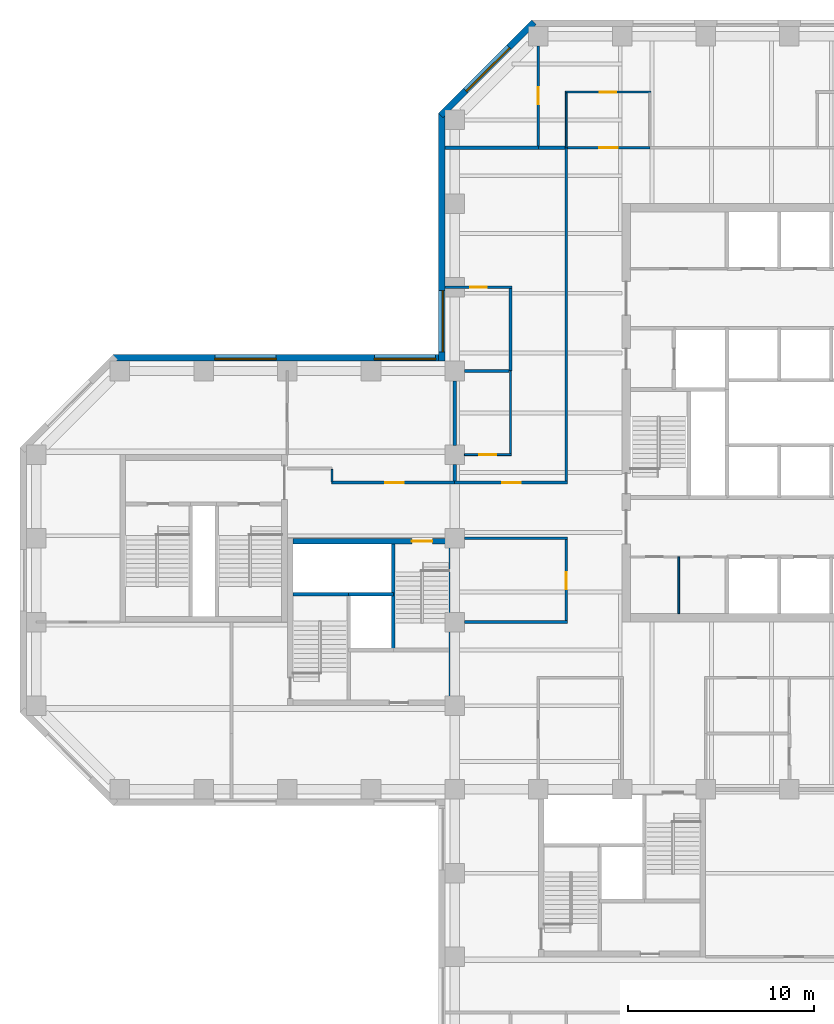
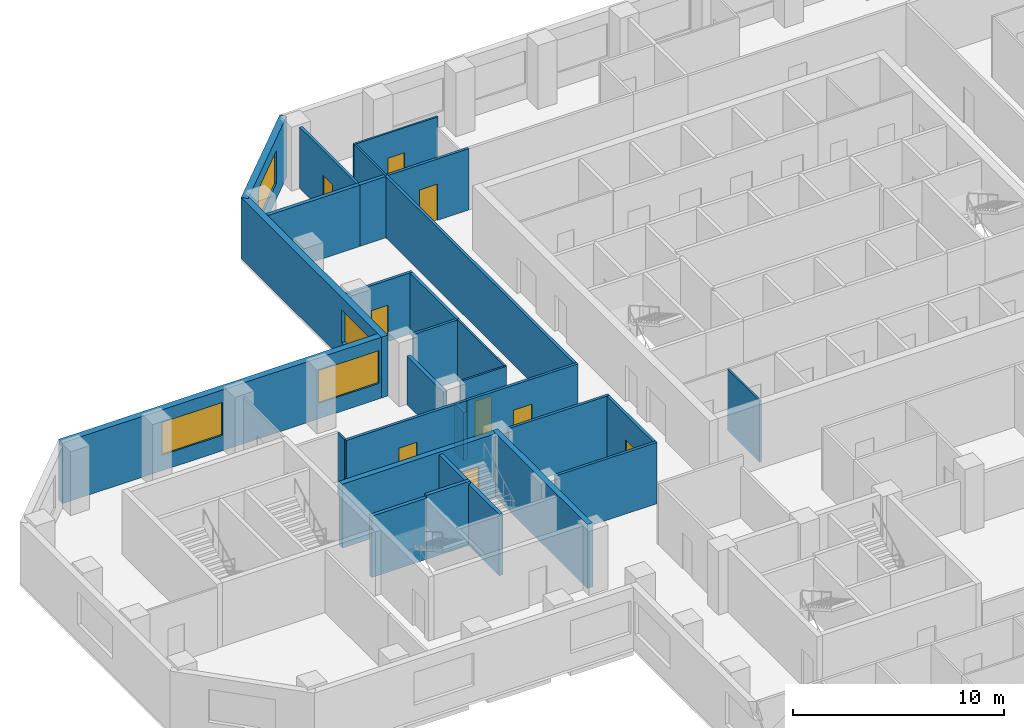
# One storey, part 6 of 11: 29 walls, 9 doors, 4 windows, 13 openings.
"""IFC4 building model written with IfcOpenShell, lengths in metres."""

from ifc_helpers import new_model, si_unit, direction, frame, frame_2d, origin, place, context, subcontext, project, spatial, rectangle, extrude, material, layer, layer_set, constituent, constituent_set, type_object, element, fill, save


model = new_model("IFC4")

# Units and contexts
model_context = context("Model", 3, precision=1e-05, world=origin(), true_north=direction((0.0, 1.0)))
body_context = subcontext(model_context, "Body", "Model", "MODEL_VIEW")
ifc_project = project(units=[si_unit("LENGTHUNIT", "METRE"), si_unit("AREAUNIT", "SQUARE_METRE"), si_unit("VOLUMEUNIT", "CUBIC_METRE"), si_unit("PLANEANGLEUNIT", "RADIAN"), si_unit("MASSUNIT", "GRAM", prefix="KILO")], contexts=[model_context])

# Site, building, storey
site_placement = place(None, origin())
site = spatial("IfcSite", under=ifc_project, at=site_placement, CompositionType="ELEMENT")
building_placement = place(site_placement, origin())
building = spatial("IfcBuilding", under=site, at=building_placement, Name="Quoin Convention Tower", CompositionType="ELEMENT")
storey_placement = place(building_placement, frame((0.0, 0.0, 134.39990234375)))
storey = spatial("IfcBuildingStorey", under=building, at=storey_placement, Name="L35", CompositionType="ELEMENT", Elevation=134.39990234375)

# Wall
ifc_material_1 = material(Name="Plasterboard")
ifc_layer_1 = layer(ifc_material_1, 0.012451171875, Name="Finish")
ifc_material_2 = material(Name="Steel stud framing", Category="steel")
ifc_layer_2 = layer(ifc_material_2, 0.125, Name="Structure")
ifc_layer_3 = layer(ifc_material_1, 0.012451171875, Name="Finish")
ifc_layer_set_1 = layer_set([ifc_layer_1, ifc_layer_2, ifc_layer_3], Name="Steel stud framing")
wall_type_1 = type_object("IfcWallType", Name="Acoustic partition 150", PredefinedType="PARTITIONING", material=ifc_layer_set_1)
wall_1_placement = place(storey_placement, frame((36.52490234375, 63.0, 0.0), z_axis=(0.0, 0.0, 1.0), x_axis=(1.0, 0.0, 0.0)))
element("IfcWall", 1, at=wall_1_placement, inside=storey, type_object=wall_type_1, Name="pw-L35-042", PredefinedType="PARTITIONING", context=body_context, shape_type="SweptSolid", body=[
    extrude(rectangle(XDim=2.400146484375, YDim=0.14990234375, at=frame_2d((1.2001953125, 0.0))), origin(), (0.0, 0.0, 1.0), 3.550048828125),
])

# Wall, opening, door
wall_2_placement = place(storey_placement, frame((35.47509765625, 67.5, 0.0), z_axis=(0.0, 0.0, 1.0), x_axis=(1.0, 0.0, 0.0)))
wall_2 = element("IfcWall", 2, at=wall_2_placement, inside=storey, type_object=wall_type_1, Name="pw-L35-045", PredefinedType="PARTITIONING", context=body_context, shape_type="SweptSolid", body=[
    extrude(rectangle(XDim=3.599853515625, YDim=0.14990234375, at=frame_2d((1.7998046875, 0.0))), origin(), (0.0, 0.0, 1.0), 3.550048828125),
])
opening_1_placement = place(wall_2_placement, frame((1.35009765625, 0.0, 0.0)))
opening_1 = element("IfcOpeningElement", 3, at=opening_1_placement, cuts=wall_2, Name="Opening DOL7-19", PredefinedType="OPENING", context=body_context, shape_type="SweptSolid", body=[
    extrude(rectangle(XDim=0.89990234375, YDim=2.10009765625, at=frame_2d((0.449951171875, 1.050048828125))), frame((0.0, 0.0849609375, 0.0), z_axis=(0.0, -1.0, 0.0), x_axis=(1.0, 0.0, 0.0)), (0.0, 0.0, 1.0), 0.169921875),
])
ifc_material_3 = material(Name="Steel door leaf", Category="steel")
door_type_1 = type_object("IfcDoorType", Name="Office door 900 x 2100", OperationType="SINGLE_SWING_RIGHT", PredefinedType="DOOR", material=ifc_material_3)
door_1_placement = place(opening_1_placement, origin())
door_1 = element("IfcDoor", 4, at=door_1_placement, inside=storey, type_object=door_type_1, Name="dr-L35-40", OperationType="SINGLE_SWING_RIGHT", OverallHeight=2.10009765625, OverallWidth=0.89990234375, PredefinedType="DOOR", context=body_context, shape_type="SweptSolid", body=[
    extrude(rectangle(XDim=0.89990234375, YDim=2.10009765625, at=frame_2d((0.449951171875, 1.050048828125))), frame((0.0, 0.02490234375, 0.0), z_axis=(0.0, -1.0, 0.0), x_axis=(1.0, 0.0, 0.0)), (0.0, 0.0, 1.0), 0.050048828125),
])
fill(opening_1, door_1)

# Wall
wall_3_placement = place(storey_placement, frame((39.0, 63.0, 0.0), z_axis=(0.0, 0.0, 1.0), x_axis=(0.0, 1.0, 0.0)))
element("IfcWall", 5, at=wall_3_placement, inside=storey, type_object=wall_type_1, Name="pw-L35-098", PredefinedType="PARTITIONING", context=body_context, shape_type="SweptSolid", body=[
    extrude(rectangle(XDim=4.425048828125, YDim=0.14990234375, at=frame_2d((2.21240234375, 0.0))), origin(), (0.0, 0.0, 1.0), 3.550048828125),
])

# Wall, opening, door
wall_4_placement = place(storey_placement, frame((40.5, 75.10009765625, 0.0), z_axis=(0.0, 0.0, 1.0), x_axis=(0.0, 1.0, 0.0)))
wall_4 = element("IfcWall", 6, at=wall_4_placement, inside=storey, type_object=wall_type_1, Name="pw-L35-106", PredefinedType="PARTITIONING", context=body_context, shape_type="SweptSolid", body=[
    extrude(rectangle(XDim=5.375, YDim=0.14990234375, at=frame_2d((2.6875, 0.0))), origin(), (0.0, 0.0, 1.0), 3.550048828125),
])
opening_2_placement = place(wall_4_placement, frame((2.25, 0.0, 0.0)))
opening_2 = element("IfcOpeningElement", 7, at=opening_2_placement, cuts=wall_4, Name="Opening DOL7-35", PredefinedType="OPENING", context=body_context, shape_type="SweptSolid", body=[
    extrude(rectangle(XDim=0.89990234375, YDim=2.10009765625, at=frame_2d((0.449951171875, 1.050048828125))), frame((0.0, 0.0849609375, 0.0), z_axis=(0.0, -1.0, 0.0), x_axis=(1.0, 0.0, 0.0)), (0.0, 0.0, 1.0), 0.169921875),
])
door_2_placement = place(opening_2_placement, frame((0.89990234375, 0.0, 0.0), z_axis=(0.0, 0.0, 1.0), x_axis=(-1.0, 0.0, 0.0)))
door_2 = element("IfcDoor", 8, at=door_2_placement, inside=storey, type_object=door_type_1, Name="dr-L35-35", OperationType="SINGLE_SWING_LEFT", OverallHeight=2.10009765625, OverallWidth=0.89990234375, PredefinedType="DOOR", context=body_context, shape_type="SweptSolid", body=[
    extrude(rectangle(XDim=0.89990234375, YDim=2.10009765625, at=frame_2d((0.449951171875, 1.050048828125))), frame((0.0, 0.02490234375, 0.0), z_axis=(0.0, -1.0, 0.0), x_axis=(1.0, 0.0, 0.0)), (0.0, 0.0, 1.0), 0.050048828125),
])
fill(opening_2, door_2)

# Wall, opening, window
ifc_material_4 = material(Name="Brick masonry", Category="masonry")
ifc_layer_4 = layer(ifc_material_4, 0.35009765625)
ifc_layer_set_2 = layer_set([ifc_layer_4], Name="Brick masonry")
wall_type_2 = type_object("IfcWallType", Name="Brick facade wall", PredefinedType="STANDARD", material=ifc_layer_set_2)
wall_5_placement = place(storey_placement, frame((40.26123046875, 81.751220703125, 0.0), z_axis=(0.0, 0.0, 1.0), x_axis=(-0.707106781187, -0.707106781187, 0.0)))
wall_5 = element("IfcWall", 9, at=wall_5_placement, inside=storey, type_object=wall_type_2, Name="fw-L35-40500_81000", PredefinedType="STANDARD", context=body_context, shape_type="SweptSolid", body=[
    extrude(rectangle(XDim=7.088623046875, YDim=0.35009765625, at=frame_2d((3.54443359375, 0.0))), origin(), (0.0, 0.0, 1.0), 3.525146484375),
])
opening_3_placement = place(wall_5_placement, frame((1.894287109375, 0.0, 0.89990234375)))
opening_3 = element("IfcOpeningElement", 10, at=opening_3_placement, cuts=wall_5, Name="Opening W-02", PredefinedType="OPENING", context=body_context, shape_type="SweptSolid", body=[
    extrude(rectangle(XDim=3.300048828125, YDim=1.89990234375, at=frame_2d((1.64990234375, 0.949951171875))), frame((0.0, 0.18505859375, 0.0), z_axis=(0.0, -1.0, 0.0), x_axis=(1.0, 0.0, 0.0)), (0.0, 0.0, 1.0), 0.3701171875),
])
ifc_material_5 = material(Name="Aluminium", Category="aluminium")
ifc_constituent_1 = constituent(ifc_material_5, Name="Frame")
ifc_material_6 = material(Name="Insulated glass", Category="glass")
ifc_constituent_2 = constituent(ifc_material_6, Name="Glazing")
ifc_constituent_set = constituent_set(constituents=[ifc_constituent_1, ifc_constituent_2], Name="Aluminium")
window_type = type_object("IfcWindowType", Name="Office window", PartitioningType="DOUBLE_PANEL_VERTICAL", PredefinedType="WINDOW", material=ifc_constituent_set)
window_1_placement = place(opening_3_placement, origin())
window_1 = element("IfcWindow", 11, at=window_1_placement, inside=storey, type_object=window_type, Name="win-L35-37755_79245", OverallHeight=1.89990234375, OverallWidth=3.300048828125, PartitioningType="SINGLE_PANEL", PredefinedType="WINDOW", context=body_context, shape_type="SweptSolid", body=[
    extrude(rectangle(XDim=3.300048828125, YDim=1.89990234375, at=frame_2d((1.64990234375, 0.949951171875))), frame((0.0, 0.0849609375, 0.0), z_axis=(0.0, -1.0, 0.0), x_axis=(1.0, 0.0, 0.0)), (0.0, 0.0, 1.0), 0.06005859375),
])
fill(opening_3, window_1)

wall_6_placement = place(storey_placement, frame((35.300048828125, 76.8623046875, 0.0), z_axis=(0.0, 0.0, 1.0), x_axis=(0.0, -1.0, 0.0)))
wall_6 = element("IfcWall", 12, at=wall_6_placement, inside=storey, type_object=wall_type_2, Name="fw-L35-36000_76500", PredefinedType="STANDARD", context=body_context, shape_type="SweptSolid", body=[
    extrude(rectangle(XDim=13.33740234375, YDim=0.35009765625, at=frame_2d((6.668701171875, 0.0))), origin(), (0.0, 0.0, 1.0), 3.525146484375),
])
opening_4_placement = place(wall_6_placement, frame((9.537353515625, 0.0, 0.89990234375)))
opening_4 = element("IfcOpeningElement", 13, at=opening_4_placement, cuts=wall_6, Name="Opening W-02", PredefinedType="OPENING", context=body_context, shape_type="SweptSolid", body=[
    extrude(rectangle(XDim=3.300048828125, YDim=1.89990234375, at=frame_2d((1.64990234375, 0.949951171875))), frame((0.0, 0.18505859375, 0.0), z_axis=(0.0, -1.0, 0.0), x_axis=(1.0, 0.0, 0.0)), (0.0, 0.0, 1.0), 0.3701171875),
])
window_2_placement = place(opening_4_placement, origin())
window_2 = element("IfcWindow", 14, at=window_2_placement, inside=storey, type_object=window_type, Name="win-L35-35300_65250", OverallHeight=1.89990234375, OverallWidth=3.300048828125, PartitioningType="SINGLE_PANEL", PredefinedType="WINDOW", context=body_context, shape_type="SweptSolid", body=[
    extrude(rectangle(XDim=3.300048828125, YDim=1.89990234375, at=frame_2d((1.64990234375, 0.949951171875))), frame((0.0, 0.0849609375, 0.0), z_axis=(0.0, -1.0, 0.0), x_axis=(1.0, 0.0, 0.0)), (0.0, 0.0, 1.0), 0.06005859375),
])
fill(opening_4, window_2)

# Wall, openings, windows
wall_7_placement = place(storey_placement, frame((35.47509765625, 63.699951171875, 0.0), z_axis=(0.0, 0.0, 1.0), x_axis=(-1.0, 0.0, 0.0)))
wall_7 = element("IfcWall", 15, at=wall_7_placement, inside=storey, type_object=wall_type_2, Name="fw-L35-36000_63000", PredefinedType="STANDARD", context=body_context, shape_type="SweptSolid", body=[
    extrude(rectangle(XDim=17.83740234375, YDim=0.35009765625, at=frame_2d((8.918701171875, 0.0))), origin(), (0.0, 0.0, 1.0), 3.525146484375),
])
opening_5_placement = place(wall_7_placement, frame((0.5, 0.0, 0.89990234375)))
opening_5 = element("IfcOpeningElement", 16, at=opening_5_placement, cuts=wall_7, Name="Opening W-02", PredefinedType="OPENING", context=body_context, shape_type="SweptSolid", body=[
    extrude(rectangle(XDim=3.300048828125, YDim=1.89990234375, at=frame_2d((1.64990234375, 0.949951171875))), frame((0.0, 0.18505859375, 0.0), z_axis=(0.0, -1.0, 0.0), x_axis=(1.0, 0.0, 0.0)), (0.0, 0.0, 1.0), 0.3701171875),
])
opening_6_placement = place(wall_7_placement, frame((9.074951171875, 0.0, 0.89990234375)))
opening_6 = element("IfcOpeningElement", 17, at=opening_6_placement, cuts=wall_7, Name="Opening W-02", PredefinedType="OPENING", context=body_context, shape_type="SweptSolid", body=[
    extrude(rectangle(XDim=3.300048828125, YDim=1.89990234375, at=frame_2d((1.64990234375, 0.949951171875))), frame((0.0, 0.18505859375, 0.0), z_axis=(0.0, -1.0, 0.0), x_axis=(1.0, 0.0, 0.0)), (0.0, 0.0, 1.0), 0.3701171875),
])
window_3_placement = place(opening_5_placement, origin())
window_3 = element("IfcWindow", 18, at=window_3_placement, inside=storey, type_object=window_type, Name="win-L35-33750_63700", OverallHeight=1.89990234375, OverallWidth=3.300048828125, PartitioningType="SINGLE_PANEL", PredefinedType="WINDOW", context=body_context, shape_type="SweptSolid", body=[
    extrude(rectangle(XDim=3.300048828125, YDim=1.89990234375, at=frame_2d((1.64990234375, 0.949951171875))), frame((0.0, 0.0849609375, 0.0), z_axis=(0.0, -1.0, 0.0), x_axis=(1.0, 0.0, 0.0)), (0.0, 0.0, 1.0), 0.06005859375),
])
fill(opening_5, window_3)
window_4_placement = place(opening_6_placement, origin())
window_4 = element("IfcWindow", 19, at=window_4_placement, inside=storey, type_object=window_type, Name="win-L35-24750_63700", OverallHeight=1.89990234375, OverallWidth=3.300048828125, PartitioningType="SINGLE_PANEL", PredefinedType="WINDOW", context=body_context, shape_type="SweptSolid", body=[
    extrude(rectangle(XDim=3.300048828125, YDim=1.89990234375, at=frame_2d((1.64990234375, 0.949951171875))), frame((0.0, 0.0849609375, 0.0), z_axis=(0.0, -1.0, 0.0), x_axis=(1.0, 0.0, 0.0)), (0.0, 0.0, 1.0), 0.06005859375),
])
fill(opening_6, window_4)

# Walls
ifc_layer_5 = layer(ifc_material_1, 0.012451171875, Name="Finish")
ifc_layer_6 = layer(ifc_material_2, 0.074951171875, Name="Structure")
ifc_layer_7 = layer(ifc_material_1, 0.012451171875, Name="Finish")
ifc_layer_set_3 = layer_set([ifc_layer_5, ifc_layer_6, ifc_layer_7], Name="Steel stud framing")
wall_type_3 = type_object("IfcWallType", Name="Core partition wall", PredefinedType="PARTITIONING", material=ifc_layer_set_3)
wall_8_placement = place(storey_placement, frame((48.050048828125, 49.949951171875, 0.0), z_axis=(0.0, 0.0, 1.0), x_axis=(0.0, 1.0, 0.0)))
element("IfcWall", 20, at=wall_8_placement, inside=storey, type_object=wall_type_3, Name="cr-C1-L35-v3050_450", PredefinedType="PARTITIONING", context=body_context, shape_type="SweptSolid", body=[
    extrude(rectangle(XDim=3.050048828125, YDim=0.10009765625, at=frame_2d((1.52490234375, 0.0))), origin(), (0.0, 0.0, 1.0), 3.550048828125),
])
ifc_material_7 = material(Name="Concrete C50", Category="concrete")
ifc_layer_8 = layer(ifc_material_7, 0.199951171875)
ifc_layer_set_4 = layer_set([ifc_layer_8], Name="Concrete C50")
wall_type_4 = type_object("IfcWallType", Name="Core shaft wall", PredefinedType="SOLIDWALL", material=ifc_layer_set_4)
wall_9_placement = place(storey_placement, frame((27.300048828125, 51.0, 0.0), z_axis=(0.0, 0.0, 1.0), x_axis=(1.0, 0.0, 0.0)))
element("IfcWall", 21, at=wall_9_placement, inside=storey, type_object=wall_type_4, Name="cr-P2-L35-h6000_300", PredefinedType="SOLIDWALL", context=body_context, shape_type="SweptSolid", body=[
    extrude(rectangle(XDim=3.0, YDim=0.199951171875, at=frame_2d((1.5, 0.0))), origin(), (0.0, 0.0, 1.0), 3.550048828125),
])
wall_10_placement = place(storey_placement, frame((32.699951171875, 48.0, 0.0), z_axis=(0.0, 0.0, 1.0), x_axis=(0.0, 1.0, 0.0)))
element("IfcWall", 22, at=wall_10_placement, inside=storey, type_object=wall_type_4, Name="cr-P2-L35-v5700_3000", PredefinedType="SOLIDWALL", context=body_context, shape_type="SweptSolid", body=[
    extrude(rectangle(XDim=5.699951171875, YDim=0.199951171875, at=frame_2d((2.85009765625, 0.0))), origin(), (0.0, 0.0, 1.0), 3.550048828125),
])
ifc_layer_9 = layer(ifc_material_7, 0.199951171875)
ifc_layer_set_5 = layer_set([ifc_layer_9], Name="Concrete C50")
wall_type_5 = type_object("IfcWallType", Name="Core shaft wall to the floor level over", PredefinedType="SOLIDWALL", material=ifc_layer_set_5)
wall_11_placement = place(storey_placement, frame((30.300048828125, 51.0, 0.0), z_axis=(0.0, 0.0, 1.0), x_axis=(1.0, 0.0, 0.0)))
element("IfcWall", 23, at=wall_11_placement, inside=storey, type_object=wall_type_5, Name="cr-P2-L35-h6000_3300", PredefinedType="SOLIDWALL", context=body_context, shape_type="SweptSolid", body=[
    extrude(rectangle(XDim=2.39990234375, YDim=0.199951171875, at=frame_2d((1.199951171875, 0.0))), origin(), (0.0, 0.0, 1.0), 3.7001953125),
])
ifc_layer_10 = layer(ifc_material_1, 0.012451171875, Name="Finish")
ifc_layer_11 = layer(ifc_material_2, 0.125, Name="Structure")
ifc_layer_12 = layer(ifc_material_1, 0.012451171875, Name="Finish")
ifc_layer_set_6 = layer_set([ifc_layer_10, ifc_layer_11, ifc_layer_12], Name="Steel stud framing")
wall_type_6 = type_object("IfcWallType", Name="Corridor wall 150", PredefinedType="PARTITIONING", material=ifc_layer_set_6)
for number, where, z_axis, x_axis, name in (
    (24, (36.52490234375, 49.5, 0.0), (0.0, 0.0, 1.0), (1.0, 0.0, 0.0), "pw-L35-031"),
    (25, (36.52490234375, 54.0, 0.0), (0.0, 0.0, 1.0), (1.0, 0.0, 0.0), "pw-L35-034"),
):
    element("IfcWall", number, at=place(storey_placement, frame(where, z_axis=z_axis, x_axis=x_axis)), inside=storey, type_object=wall_type_6, Name=name, PredefinedType="PARTITIONING", context=body_context, shape_type="SweptSolid", body=[
        extrude(rectangle(XDim=5.550048828125, YDim=0.14990234375, at=frame_2d((2.77490234375, 0.0))), origin(), (0.0, 0.0, 1.0), 3.550048828125),
    ])

# Wall, opening, door
wall_12_placement = place(storey_placement, frame((29.3798828125, 57.0, 0.0), z_axis=(0.0, 0.0, 1.0), x_axis=(1.0, 0.0, 0.0)))
wall_12 = element("IfcWall", 26, at=wall_12_placement, inside=storey, type_object=wall_type_6, Name="pw-L35-036", PredefinedType="PARTITIONING", context=body_context, shape_type="SweptSolid", body=[
    extrude(rectangle(XDim=6.6201171875, YDim=0.14990234375, at=frame_2d((3.31005859375, 0.0))), origin(), (0.0, 0.0, 1.0), 3.550048828125),
])
opening_7_placement = place(wall_12_placement, frame((2.8798828125, 0.0, 0.0)))
opening_7 = element("IfcOpeningElement", 27, at=opening_7_placement, cuts=wall_12, Name="Opening DOL7-14", PredefinedType="OPENING", context=body_context, shape_type="SweptSolid", body=[
    extrude(rectangle(XDim=1.0, YDim=2.10009765625, at=frame_2d((0.5, 1.050048828125))), frame((0.0, 0.0849609375, 0.0), z_axis=(0.0, -1.0, 0.0), x_axis=(1.0, 0.0, 0.0)), (0.0, 0.0, 1.0), 0.169921875),
])
door_type_2 = type_object("IfcDoorType", Name="Tenancy entrance door 1000 x 2100", OperationType="DOUBLE_DOOR_SINGLE_SWING", PredefinedType="DOOR", material=ifc_material_3)
door_3_placement = place(opening_7_placement, origin())
door_3 = element("IfcDoor", 28, at=door_3_placement, inside=storey, type_object=door_type_2, Name="dr-L35-w01", OperationType="DOUBLE_DOOR_SINGLE_SWING", OverallHeight=2.10009765625, OverallWidth=1.0, PredefinedType="DOOR", context=body_context, shape_type="SweptSolid", body=[
    extrude(rectangle(XDim=1.0, YDim=2.10009765625, at=frame_2d((0.5, 1.050048828125))), frame((0.0, 0.02490234375, 0.0), z_axis=(0.0, -1.0, 0.0), x_axis=(1.0, 0.0, 0.0)), (0.0, 0.0, 1.0), 0.050048828125),
])
fill(opening_7, door_3)

wall_13_placement = place(storey_placement, frame((36.0, 57.0, 0.0), z_axis=(0.0, 0.0, 1.0), x_axis=(1.0, 0.0, 0.0)))
wall_13 = element("IfcWall", 29, at=wall_13_placement, inside=storey, type_object=wall_type_6, Name="pw-L35-037", PredefinedType="PARTITIONING", context=body_context, shape_type="SweptSolid", body=[
    extrude(rectangle(XDim=6.074951171875, YDim=0.14990234375, at=frame_2d((3.03759765625, 0.0))), origin(), (0.0, 0.0, 1.0), 3.550048828125),
])
opening_8_placement = place(wall_13_placement, frame((2.550048828125, 0.0, 0.0)))
opening_8 = element("IfcOpeningElement", 30, at=opening_8_placement, cuts=wall_13, Name="Opening DOL7-15", PredefinedType="OPENING", context=body_context, shape_type="SweptSolid", body=[
    extrude(rectangle(XDim=1.0, YDim=2.10009765625, at=frame_2d((0.5, 1.050048828125))), frame((0.0, 0.0849609375, 0.0), z_axis=(0.0, -1.0, 0.0), x_axis=(1.0, 0.0, 0.0)), (0.0, 0.0, 1.0), 0.169921875),
])
door_4_placement = place(opening_8_placement, origin())
door_4 = element("IfcDoor", 31, at=door_4_placement, inside=storey, type_object=door_type_2, Name="dr-L35-38", OperationType="DOUBLE_DOOR_SINGLE_SWING", OverallHeight=2.10009765625, OverallWidth=1.0, PredefinedType="DOOR", context=body_context, shape_type="SweptSolid", body=[
    extrude(rectangle(XDim=1.0, YDim=2.10009765625, at=frame_2d((0.5, 1.050048828125))), frame((0.0, 0.02490234375, 0.0), z_axis=(0.0, -1.0, 0.0), x_axis=(1.0, 0.0, 0.0)), (0.0, 0.0, 1.0), 0.050048828125),
])
fill(opening_8, door_4)

wall_14_placement = place(storey_placement, frame((42.074951171875, 75.0, 0.0), z_axis=(0.0, 0.0, 1.0), x_axis=(1.0, 0.0, 0.0)))
wall_14 = element("IfcWall", 32, at=wall_14_placement, inside=storey, type_object=wall_type_6, Name="pw-L35-050", PredefinedType="PARTITIONING", context=body_context, shape_type="SweptSolid", body=[
    extrude(rectangle(XDim=4.425048828125, YDim=0.14990234375, at=frame_2d((2.21240234375, 0.0))), origin(), (0.0, 0.0, 1.0), 3.550048828125),
])
opening_9_placement = place(wall_14_placement, frame((1.699951171875, 0.0, 0.0)))
opening_9 = element("IfcOpeningElement", 33, at=opening_9_placement, cuts=wall_14, Name="Opening DOL7-21", PredefinedType="OPENING", context=body_context, shape_type="SweptSolid", body=[
    extrude(rectangle(XDim=1.0, YDim=2.10009765625, at=frame_2d((0.5, 1.050048828125))), frame((0.0, 0.0849609375, 0.0), z_axis=(0.0, -1.0, 0.0), x_axis=(1.0, 0.0, 0.0)), (0.0, 0.0, 1.0), 0.169921875),
])
door_5_placement = place(opening_9_placement, frame((1.0, 0.0, 0.0), z_axis=(0.0, 0.0, 1.0), x_axis=(-1.0, 0.0, 0.0)))
door_5 = element("IfcDoor", 34, at=door_5_placement, inside=storey, type_object=door_type_2, Name="dr-L35-32", OperationType="DOUBLE_DOOR_SINGLE_SWING", OverallHeight=2.10009765625, OverallWidth=1.0, PredefinedType="DOOR", context=body_context, shape_type="SweptSolid", body=[
    extrude(rectangle(XDim=1.0, YDim=2.10009765625, at=frame_2d((0.5, 1.050048828125))), frame((0.0, 0.02490234375, 0.0), z_axis=(0.0, -1.0, 0.0), x_axis=(1.0, 0.0, 0.0)), (0.0, 0.0, 1.0), 0.050048828125),
])
fill(opening_9, door_5)

wall_15_placement = place(storey_placement, frame((42.0, 49.574951171875, 0.0), z_axis=(0.0, 0.0, 1.0), x_axis=(0.0, 1.0, 0.0)))
wall_15 = element("IfcWall", 35, at=wall_15_placement, inside=storey, type_object=wall_type_6, Name="pw-L35-087", PredefinedType="PARTITIONING", context=body_context, shape_type="SweptSolid", body=[
    extrude(rectangle(XDim=4.35009765625, YDim=0.14990234375, at=frame_2d((2.175048828125, 0.0))), origin(), (0.0, 0.0, 1.0), 3.550048828125),
])
opening_10_placement = place(wall_15_placement, frame((1.699951171875, 0.0, 0.0)))
opening_10 = element("IfcOpeningElement", 36, at=opening_10_placement, cuts=wall_15, Name="Opening DOL7-32", PredefinedType="OPENING", context=body_context, shape_type="SweptSolid", body=[
    extrude(rectangle(XDim=0.89990234375, YDim=2.10009765625, at=frame_2d((0.449951171875, 1.050048828125))), frame((0.0, 0.0849609375, 0.0), z_axis=(0.0, -1.0, 0.0), x_axis=(1.0, 0.0, 0.0)), (0.0, 0.0, 1.0), 0.169921875),
])
door_6_placement = place(opening_10_placement, origin())
door_6 = element("IfcDoor", 37, at=door_6_placement, inside=storey, type_object=door_type_1, Name="dr-L35-01", OperationType="SINGLE_SWING_RIGHT", OverallHeight=2.10009765625, OverallWidth=0.89990234375, PredefinedType="DOOR", context=body_context, shape_type="SweptSolid", body=[
    extrude(rectangle(XDim=0.89990234375, YDim=2.10009765625, at=frame_2d((0.449951171875, 1.050048828125))), frame((0.0, 0.02490234375, 0.0), z_axis=(0.0, -1.0, 0.0), x_axis=(1.0, 0.0, 0.0)), (0.0, 0.0, 1.0), 0.050048828125),
])
fill(opening_10, door_6)

# Wall
wall_16_placement = place(storey_placement, frame((42.0, 57.074951171875, 0.0), z_axis=(0.0, 0.0, 1.0), x_axis=(0.0, 1.0, 0.0)))
element("IfcWall", 38, at=wall_16_placement, inside=storey, type_object=wall_type_6, Name="pw-L35-091", PredefinedType="PARTITIONING", context=body_context, shape_type="SweptSolid", body=[
    extrude(rectangle(XDim=17.925048828125, YDim=0.14990234375, at=frame_2d((8.96240234375, 0.0))), origin(), (0.0, 0.0, 1.0), 3.550048828125),
])

# Wall, opening, door
ifc_material_8 = material(Name="Concrete C65", Category="concrete")
ifc_layer_13 = layer(ifc_material_8, 0.300048828125)
ifc_layer_set_7 = layer_set([ifc_layer_13], Name="Concrete C65")
wall_type_7 = type_object("IfcWallType", Name="RC CORE WALL 300 C65", PredefinedType="SHEAR", material=ifc_layer_set_7)
wall_17_placement = place(storey_placement, frame((27.300048828125, 53.85009765625, 0.0), z_axis=(0.0, 0.0, 1.0), x_axis=(1.0, 0.0, 0.0)))
wall_17 = element("IfcWall", 39, at=wall_17_placement, inside=storey, type_object=wall_type_7, Name="cwl-P2-L35-N", PredefinedType="SHEAR", context=body_context, shape_type="SweptSolid", body=[
    extrude(rectangle(XDim=8.39990234375, YDim=0.300048828125, at=frame_2d((4.199951171875, 0.0))), origin(), (0.0, 0.0, 1.0), 3.7001953125),
])
opening_11_placement = place(wall_17_placement, frame((6.39990234375, 0.0, 0.0)))
opening_11 = element("IfcOpeningElement", 40, at=opening_11_placement, cuts=wall_17, Name="Opening SD4", PredefinedType="OPENING", context=body_context, shape_type="SweptSolid", body=[
    extrude(rectangle(XDim=1.10009765625, YDim=2.10009765625, at=frame_2d((0.550048828125, 1.050048828125))), frame((0.0, 0.159912109375, 0.0), z_axis=(0.0, -1.0, 0.0), x_axis=(1.0, 0.0, 0.0)), (0.0, 0.0, 1.0), 0.320068359375),
])
door_type_3 = type_object("IfcDoorType", Name="Stair door 1100 x 2100", OperationType="SINGLE_SWING_RIGHT", PredefinedType="DOOR", material=ifc_material_3)
door_7_placement = place(opening_11_placement, frame((1.10009765625, 0.0, 0.0), z_axis=(0.0, 0.0, 1.0), x_axis=(-1.0, 0.0, 0.0)))
door_7 = element("IfcDoor", 41, at=door_7_placement, inside=storey, type_object=door_type_3, Name="cd-P2-L35-SB-N", OperationType="SINGLE_SWING_LEFT", OverallHeight=2.10009765625, OverallWidth=1.10009765625, PredefinedType="DOOR", context=body_context, shape_type="SweptSolid", body=[
    extrude(rectangle(XDim=1.10009765625, YDim=2.10009765625, at=frame_2d((0.550048828125, 1.050048828125))), frame((0.0, 0.02490234375, 0.0), z_axis=(0.0, -1.0, 0.0), x_axis=(1.0, 0.0, 0.0)), (0.0, 0.0, 1.0), 0.050048828125),
])
fill(opening_11, door_7)

# Wall
wall_18_placement = place(storey_placement, frame((35.85009765625, 45.0, 0.0), z_axis=(0.0, 0.0, 1.0), x_axis=(0.0, 1.0, 0.0)))
element("IfcWall", 42, at=wall_18_placement, inside=storey, type_object=wall_type_7, Name="cwl-P2-L35-E", PredefinedType="SHEAR", context=body_context, shape_type="SweptSolid", body=[
    extrude(rectangle(XDim=9.0, YDim=0.300048828125, at=frame_2d((4.5, 0.0))), origin(), (0.0, 0.0, 1.0), 3.7001953125),
])

# Wall, opening, door
ifc_layer_14 = layer(ifc_material_1, 0.012451171875, Name="Finish")
ifc_layer_15 = layer(ifc_material_2, 0.074951171875, Name="Structure")
ifc_layer_16 = layer(ifc_material_1, 0.012451171875, Name="Finish")
ifc_layer_set_8 = layer_set([ifc_layer_14, ifc_layer_15, ifc_layer_16], Name="Steel stud framing")
wall_type_8 = type_object("IfcWallType", Name="Stud partition 100", PredefinedType="PARTITIONING", material=ifc_layer_set_8)
wall_19_placement = place(storey_placement, frame((36.52490234375, 58.5, 0.0), z_axis=(0.0, 0.0, 1.0), x_axis=(1.0, 0.0, 0.0)))
wall_19 = element("IfcWall", 43, at=wall_19_placement, inside=storey, type_object=wall_type_8, Name="pw-L35-038", PredefinedType="PARTITIONING", context=body_context, shape_type="SweptSolid", body=[
    extrude(rectangle(XDim=2.525146484375, YDim=0.10009765625, at=frame_2d((1.2626953125, 0.0))), origin(), (0.0, 0.0, 1.0), 3.550048828125),
])
opening_12_placement = place(wall_19_placement, frame((0.800048828125, 0.0, 0.0)))
opening_12 = element("IfcOpeningElement", 44, at=opening_12_placement, cuts=wall_19, Name="Opening DOL7-16", PredefinedType="OPENING", context=body_context, shape_type="SweptSolid", body=[
    extrude(rectangle(XDim=0.89990234375, YDim=2.10009765625, at=frame_2d((0.449951171875, 1.050048828125))), frame((0.0, 0.06005859375, 0.0), z_axis=(0.0, -1.0, 0.0), x_axis=(1.0, 0.0, 0.0)), (0.0, 0.0, 1.0), 0.1201171875),
])
door_8_placement = place(opening_12_placement, frame((0.89990234375, 0.0, 0.0), z_axis=(0.0, 0.0, 1.0), x_axis=(-1.0, 0.0, 0.0)))
door_8 = element("IfcDoor", 45, at=door_8_placement, inside=storey, type_object=door_type_1, Name="dr-L35-39", OperationType="SINGLE_SWING_LEFT", OverallHeight=2.10009765625, OverallWidth=0.89990234375, PredefinedType="DOOR", context=body_context, shape_type="SweptSolid", body=[
    extrude(rectangle(XDim=0.89990234375, YDim=2.10009765625, at=frame_2d((0.449951171875, 1.050048828125))), frame((0.0, 0.02490234375, 0.0), z_axis=(0.0, -1.0, 0.0), x_axis=(1.0, 0.0, 0.0)), (0.0, 0.0, 1.0), 0.050048828125),
])
fill(opening_12, door_8)

wall_20_placement = place(storey_placement, frame((41.949951171875, 78.0, 0.0), z_axis=(0.0, 0.0, 1.0), x_axis=(1.0, 0.0, 0.0)))
wall_20 = element("IfcWall", 46, at=wall_20_placement, inside=storey, type_object=wall_type_8, Name="pw-L35-055", PredefinedType="PARTITIONING", context=body_context, shape_type="SweptSolid", body=[
    extrude(rectangle(XDim=4.60009765625, YDim=0.10009765625, at=frame_2d((2.300048828125, 0.0))), origin(), (0.0, 0.0, 1.0), 3.550048828125),
])
opening_13_placement = place(wall_20_placement, frame((1.85009765625, 0.0, 0.0)))
opening_13 = element("IfcOpeningElement", 47, at=opening_13_placement, cuts=wall_20, Name="Opening DOL7-23", PredefinedType="OPENING", context=body_context, shape_type="SweptSolid", body=[
    extrude(rectangle(XDim=0.89990234375, YDim=2.10009765625, at=frame_2d((0.449951171875, 1.050048828125))), frame((0.0, 0.06005859375, 0.0), z_axis=(0.0, -1.0, 0.0), x_axis=(1.0, 0.0, 0.0)), (0.0, 0.0, 1.0), 0.1201171875),
])
door_9_placement = place(opening_13_placement, origin())
door_9 = element("IfcDoor", 48, at=door_9_placement, inside=storey, type_object=door_type_1, Name="dr-L35-33", OperationType="SINGLE_SWING_RIGHT", OverallHeight=2.10009765625, OverallWidth=0.89990234375, PredefinedType="DOOR", context=body_context, shape_type="SweptSolid", body=[
    extrude(rectangle(XDim=0.89990234375, YDim=2.10009765625, at=frame_2d((0.449951171875, 1.050048828125))), frame((0.0, 0.02490234375, 0.0), z_axis=(0.0, -1.0, 0.0), x_axis=(1.0, 0.0, 0.0)), (0.0, 0.0, 1.0), 0.050048828125),
])
fill(opening_13, door_9)

# Walls
wall_21_placement = place(storey_placement, frame((39.0, 58.550048828125, 0.0), z_axis=(0.0, 0.0, 1.0), x_axis=(0.0, 1.0, 0.0)))
element("IfcWall", 49, at=wall_21_placement, inside=storey, type_object=wall_type_8, Name="pw-L35-092", PredefinedType="PARTITIONING", context=body_context, shape_type="SweptSolid", body=[
    extrude(rectangle(XDim=4.449951171875, YDim=0.10009765625, at=frame_2d((2.22509765625, 0.0))), origin(), (0.0, 0.0, 1.0), 3.550048828125),
])
wall_22_placement = place(storey_placement, frame((42.0, 75.0, 0.0), z_axis=(0.0, 0.0, 1.0), x_axis=(0.0, 1.0, 0.0)))
element("IfcWall", 50, at=wall_22_placement, inside=storey, type_object=wall_type_8, Name="pw-L35-102", PredefinedType="PARTITIONING", context=body_context, shape_type="SweptSolid", body=[
    extrude(rectangle(XDim=2.949951171875, YDim=0.10009765625, at=frame_2d((1.47509765625, 0.0))), origin(), (0.0, 0.0, 1.0), 3.550048828125),
])
wall_23_placement = place(storey_placement, frame((29.39990234375, 57.715087890625, 0.0), z_axis=(0.0, 0.0, 1.0), x_axis=(0.0, -1.0, 0.0)))
element("IfcWall", 51, at=wall_23_placement, inside=storey, type_object=wall_type_8, Name="pw-L35-w04", PredefinedType="PARTITIONING", context=body_context, shape_type="SweptSolid", body=[
    extrude(rectangle(XDim=0.68017578125, YDim=0.10009765625, at=frame_2d((0.340087890625, 0.0))), origin(), (0.0, 0.0, 1.0), 3.550048828125),
])
ifc_layer_17 = layer(ifc_material_1, 0.012451171875, Name="Finish")
ifc_layer_18 = layer(ifc_material_2, 0.175048828125, Name="Structure")
ifc_layer_19 = layer(ifc_material_1, 0.012451171875, Name="Finish")
ifc_layer_set_9 = layer_set([ifc_layer_17, ifc_layer_18, ifc_layer_19], Name="Steel stud framing")
wall_type_9 = type_object("IfcWallType", Name="Tenancy demising wall 200", PredefinedType="PARTITIONING", material=ifc_layer_set_9)
wall_24_placement = place(storey_placement, frame((35.47509765625, 75.0, 0.0), z_axis=(0.0, 0.0, 1.0), x_axis=(1.0, 0.0, 0.0)))
element("IfcWall", 52, at=wall_24_placement, inside=storey, type_object=wall_type_9, Name="pw-L35-048", PredefinedType="PARTITIONING", context=body_context, shape_type="SweptSolid", body=[
    extrude(rectangle(XDim=5.02490234375, YDim=0.199951171875, at=frame_2d((2.512451171875, 0.0))), origin(), (0.0, 0.0, 1.0), 3.550048828125),
])
wall_25_placement = place(storey_placement, frame((40.5, 75.0, 0.0), z_axis=(0.0, 0.0, 1.0), x_axis=(1.0, 0.0, 0.0)))
element("IfcWall", 53, at=wall_25_placement, inside=storey, type_object=wall_type_9, Name="pw-L35-049", PredefinedType="PARTITIONING", context=body_context, shape_type="SweptSolid", body=[
    extrude(rectangle(XDim=1.425048828125, YDim=0.199951171875, at=frame_2d((0.71240234375, 0.0))), origin(), (0.0, 0.0, 1.0), 3.550048828125),
])
ifc_layer_20 = layer(ifc_material_1, 0.012451171875, Name="Finish")
ifc_layer_21 = layer(ifc_material_2, 0.175048828125, Name="Structure")
ifc_layer_22 = layer(ifc_material_1, 0.012451171875, Name="Finish")
ifc_layer_set_10 = layer_set([ifc_layer_20, ifc_layer_21, ifc_layer_22], Name="Steel stud framing")
wall_type_10 = type_object("IfcWallType", Name="Tenancy demising wall 200 under beam 750", PredefinedType="PARTITIONING", material=ifc_layer_set_10)
wall_26_placement = place(storey_placement, frame((36.0, 57.074951171875, 0.0), z_axis=(0.0, 0.0, 1.0), x_axis=(0.0, 1.0, 0.0)))
element("IfcWall", 54, at=wall_26_placement, inside=storey, type_object=wall_type_10, Name="pw-L35-090", PredefinedType="PARTITIONING", context=body_context, shape_type="SweptSolid", body=[
    extrude(rectangle(XDim=0.900146484375, YDim=0.199951171875, at=frame_2d((0.4501953125, 0.0))), origin(), (0.0, 0.0, 1.0), 2.800048828125),
])
wall_27_placement = place(storey_placement, frame((36.0, 58.9951171875, 0.0), z_axis=(0.0, 0.0, 1.0), x_axis=(0.0, 1.0, 0.0)))
element("IfcWall", 55, at=wall_27_placement, inside=storey, type_object=wall_type_10, Name="pw-L35-093", PredefinedType="PARTITIONING", context=body_context, shape_type="SweptSolid", body=[
    extrude(rectangle(XDim=3.47998046875, YDim=0.199951171875, at=frame_2d((1.739990234375, 0.0))), origin(), (0.0, 0.0, 1.0), 2.800048828125),
])

save(model, "model.ifc")
